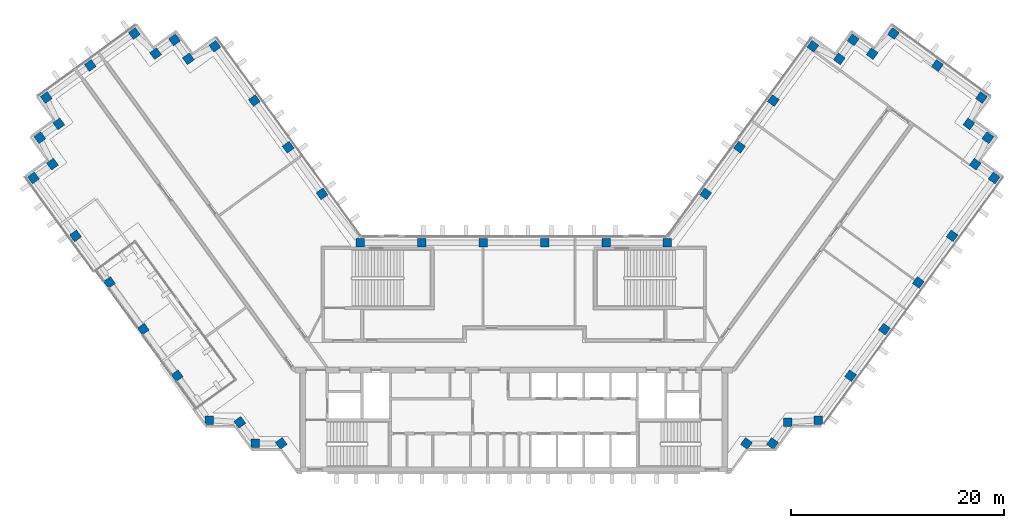
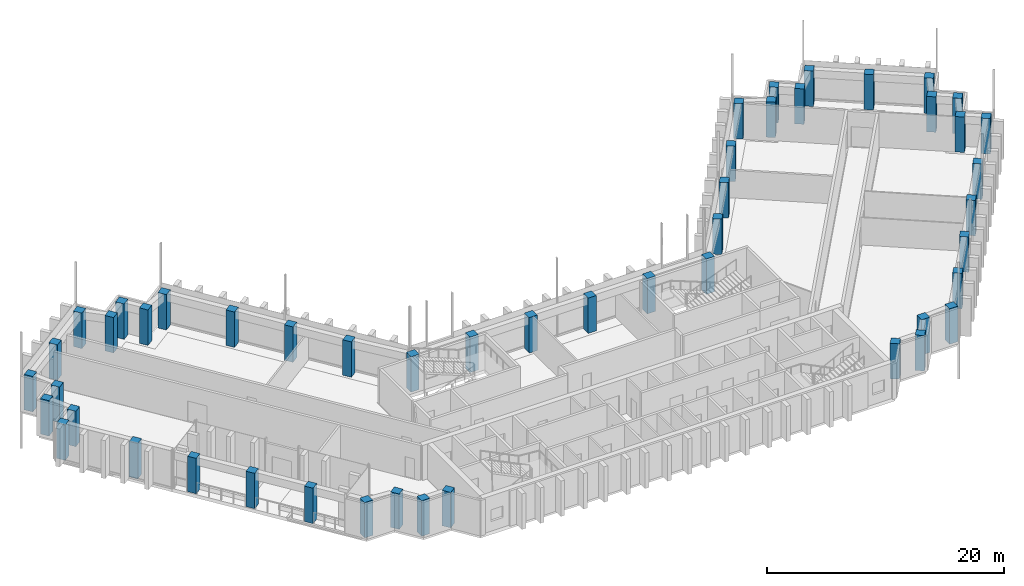
# One storey, part 1 of 15: 50 columns.
"""IFC4 building model written with IfcOpenShell, lengths in metres."""

from ifc_helpers import new_model, si_unit, direction, frame, origin, origin_2d, place, context, subcontext, project, spatial, rectangle, extrude, material, material_profile, profile_set, type_object, element, save


model = new_model("IFC4")

# Units and contexts
model_context = context("Model", 3, precision=1e-05, world=origin(), true_north=direction((0.0, 1.0)))
body_context = subcontext(model_context, "Body", "Model", "MODEL_VIEW")
ifc_project = project(units=[si_unit("LENGTHUNIT", "METRE"), si_unit("AREAUNIT", "SQUARE_METRE"), si_unit("VOLUMEUNIT", "CUBIC_METRE"), si_unit("PLANEANGLEUNIT", "RADIAN"), si_unit("MASSUNIT", "GRAM", prefix="KILO")], contexts=[model_context])

# Site, building, storey
site_placement = place(None, origin())
site = spatial("IfcSite", under=ifc_project, at=site_placement, CompositionType="ELEMENT")
building_placement = place(site_placement, origin())
building = spatial("IfcBuilding", under=site, at=building_placement, Name="Quipu Civic Tower", CompositionType="ELEMENT")
storey_placement = place(building_placement, frame((0.0, 0.0, 160.0)))
storey = spatial("IfcBuildingStorey", under=building, at=storey_placement, Name="L37", CompositionType="ELEMENT", Elevation=160.0)

# Columns
ifc_material = material(Name="Concrete C60/75", Category="concrete")
ifc_material_profile = material_profile(ifc_material, rectangle(XDim=0.800048828125, YDim=0.800048828125, at=origin_2d()), Name="RC800x800")
ifc_profile_set = profile_set([ifc_material_profile], Name="Concrete C60/75")
column_type = type_object("IfcColumnType", Name="Perimeter column RC 800x800 C60/75", PredefinedType="COLUMN", material=ifc_profile_set)
for number, where, z_axis, x_axis, name in (
    (1, (-17.9736328125, 15.074951171875, 0.0), (0.0, 0.0, 1.0), (-0.587785252292, 0.809016994375, 0.0), "Column L37 W-IN-01"),
    (2, (-21.1474609375, 19.44384765625, 0.0), (0.0, 0.0, 1.0), (-0.587785252292, 0.809016994375, 0.0), "Column L37 W-IN-02"),
    (3, (-24.3212890625, 23.8125, 0.0), (0.0, 0.0, 1.0), (-0.587785252292, 0.809016994375, 0.0), "Column L37 W-IN-03"),
    (4, (-28.02001953125, 28.905029296875, 0.0), (0.0, 0.0, 1.0), (-0.809016994375, -0.587785252292, 0.0), "Column L37 T-Wi.0-W34"),
    (5, (-30.498779296875, 27.72265625, 0.0), (0.0, 0.0, 1.0), (-0.809016994375, -0.587785252292, 0.0), "Column L37 T-Wi.1-W34"),
    (6, (-31.794921875, 29.5, 0.0), (0.0, 0.0, 1.0), (-0.587785252292, 0.809016994375, 0.0), "Column L37 T-Wi.2-W34"),
    (7, (-33.573974609375, 28.20947265625, 0.0), (0.0, 0.0, 1.0), (-0.587785252292, 0.809016994375, 0.0), "Column L37 T-Wi.3-W34"),
    (8, (-35.56494140625, 30.10009765625, 0.0), (0.0, 0.0, 1.0), (-0.809016994375, -0.587785252292, 0.0), "Column L37 T-Wi.4-W34"),
    (9, (-39.690673828125, 27.10205078125, 0.0), (0.0, 0.0, 1.0), (-0.809016994375, -0.587785252292, 0.0), "Column L37 TIP-W-01-W34"),
    (10, (-43.81494140625, 24.10498046875, 0.0), (0.0, 0.0, 1.0), (-0.809016994375, -0.587785252292, 0.0), "Column L37 T-Wo.0-W34"),
    (11, (-42.635009765625, 21.626220703125, 0.0), (0.0, 0.0, 1.0), (-0.809016994375, -0.587785252292, 0.0), "Column L37 T-Wo.1-W34"),
    (12, (-44.4150390625, 20.3349609375, 0.0), (0.0, 0.0, 1.0), (0.587785252292, -0.809016994375, 0.0), "Column L37 T-Wo.2-W34"),
    (13, (-43.23095703125, 17.8544921875, 0.0), (0.0, 0.0, 1.0), (0.587785252292, -0.809016994375, 0.0), "Column L37 T-Wo.3-W34"),
    (14, (-45.010009765625, 16.56005859375, 0.0), (0.0, 0.0, 1.0), (0.587785252292, -0.809016994375, 0.0), "Column L37 T-Wo.4-W34"),
    (15, (-41.0703125, 11.137451171875, 0.0), (0.0, 0.0, 1.0), (0.587785252292, -0.809016994375, 0.0), "Column L37 W-OUT-04"),
    (16, (-37.896240234375, 6.768798828125, 0.0), (0.0, 0.0, 1.0), (0.587785252292, -0.809016994375, 0.0), "Column L37 W-OUT-03"),
    (17, (-34.722412109375, 2.39990234375, 0.0), (0.0, 0.0, 1.0), (0.587785252292, -0.809016994375, 0.0), "Column L37 W-OUT-02"),
    (18, (-31.54833984375, -1.96875, 0.0), (0.0, 0.0, 1.0), (0.587785252292, -0.809016994375, 0.0), "Column L37 W-OUT-01"),
    (19, (-28.52490234375, -6.1298828125, 0.0), (0.0, 0.0, 1.0), (1.0, 0.0, 0.0), "Column L37 J-Wo.0"),
    (20, (-25.67431640625, -6.3369140625, 0.0), (0.0, 0.0, 1.0), (0.587785252292, -0.809016994375, 0.0), "Column L37 J-Wo.1"),
    (21, (-24.235107421875, -8.31494140625, 0.0), (0.0, 0.0, 1.0), (1.0, 0.0, 0.0), "Column L37 J-Wo.2"),
    (22, (-21.791748046875, -8.31494140625, 0.0), (0.0, 0.0, 1.0), (0.587785252292, -0.809016994375, 0.0), "Column L37 J-Wo.3"),
    (23, (21.791748046875, -8.31494140625, 0.0), (0.0, 0.0, 1.0), (0.587785252292, 0.809016994375, 0.0), "Column L37 J-Eo.1"),
    (24, (24.235107421875, -8.31494140625, 0.0), (0.0, 0.0, 1.0), (0.587785252292, 0.809016994375, 0.0), "Column L37 J-Eo.2"),
    (25, (25.67431640625, -6.3369140625, 0.0), (0.0, 0.0, 1.0), (1.0, 0.0, 0.0), "Column L37 J-Eo.3"),
    (26, (28.52490234375, -6.1298828125, 0.0), (0.0, 0.0, 1.0), (1.0, 0.0, 0.0), "Column L37 J-Eo.4"),
    (27, (31.54833984375, -1.96875, 0.0), (0.0, 0.0, 1.0), (0.587785252292, 0.809016994375, 0.0), "Column L37 E-OUT-01"),
    (28, (34.722412109375, 2.39990234375, 0.0), (0.0, 0.0, 1.0), (0.587785252292, 0.809016994375, 0.0), "Column L37 E-OUT-02"),
    (29, (37.896240234375, 6.768798828125, 0.0), (0.0, 0.0, 1.0), (0.587785252292, 0.809016994375, 0.0), "Column L37 E-OUT-03"),
    (30, (41.0703125, 11.137451171875, 0.0), (0.0, 0.0, 1.0), (0.587785252292, 0.809016994375, 0.0), "Column L37 E-OUT-04"),
    (31, (45.010009765625, 16.56005859375, 0.0), (0.0, 0.0, 1.0), (0.587785252292, 0.809016994375, 0.0), "Column L37 T-Eo.0-E34"),
    (32, (43.23095703125, 17.8544921875, 0.0), (0.0, 0.0, 1.0), (0.587785252292, 0.809016994375, 0.0), "Column L37 T-Eo.1-E34"),
    (33, (44.4150390625, 20.3349609375, 0.0), (0.0, 0.0, 1.0), (0.587785252292, 0.809016994375, 0.0), "Column L37 T-Eo.2-E34"),
    (34, (42.635009765625, 21.626220703125, 0.0), (0.0, 0.0, 1.0), (-0.809016994375, 0.587785252292, 0.0), "Column L37 T-Eo.3-E34"),
    (35, (43.81494140625, 24.10498046875, 0.0), (0.0, 0.0, 1.0), (-0.809016994375, 0.587785252292, 0.0), "Column L37 T-Eo.4-E34"),
    (36, (39.690673828125, 27.10205078125, 0.0), (0.0, 0.0, 1.0), (-0.809016994375, 0.587785252292, 0.0), "Column L37 TIP-E-01-E34"),
    (37, (35.56494140625, 30.10009765625, 0.0), (0.0, 0.0, 1.0), (-0.587785252292, -0.809016994375, 0.0), "Column L37 T-Ei.0-E34"),
    (38, (33.573974609375, 28.20947265625, 0.0), (0.0, 0.0, 1.0), (-0.809016994375, 0.587785252292, 0.0), "Column L37 T-Ei.1-E34"),
    (39, (31.794921875, 29.5, 0.0), (0.0, 0.0, 1.0), (-0.587785252292, -0.809016994375, 0.0), "Column L37 T-Ei.2-E34"),
    (40, (30.498779296875, 27.72265625, 0.0), (0.0, 0.0, 1.0), (-0.809016994375, 0.587785252292, 0.0), "Column L37 T-Ei.3-E34"),
    (41, (28.02001953125, 28.905029296875, 0.0), (0.0, 0.0, 1.0), (-0.809016994375, 0.587785252292, 0.0), "Column L37 T-Ei.4-E34"),
    (42, (24.3212890625, 23.8125, 0.0), (0.0, 0.0, 1.0), (-0.587785252292, -0.809016994375, 0.0), "Column L37 E-IN-03"),
    (43, (21.1474609375, 19.44384765625, 0.0), (0.0, 0.0, 1.0), (-0.587785252292, -0.809016994375, 0.0), "Column L37 E-IN-02"),
    (44, (17.9736328125, 15.074951171875, 0.0), (0.0, 0.0, 1.0), (-0.587785252292, -0.809016994375, 0.0), "Column L37 E-IN-01"),
    (45, (14.395263671875, 10.5, 0.0), (0.0, 0.0, 1.0), (-1.0, 0.0, 0.0), "Column L37 J-Ei.0"),
    (46, (8.63720703125, 10.5, 0.0), (0.0, 0.0, 1.0), (-1.0, 0.0, 0.0), "Column L37 FRONT-01"),
    (47, (2.87890625, 10.5, 0.0), (0.0, 0.0, 1.0), (-1.0, 0.0, 0.0), "Column L37 FRONT-02"),
    (48, (-2.87890625, 10.5, 0.0), (0.0, 0.0, 1.0), (-1.0, 0.0, 0.0), "Column L37 FRONT-03"),
    (49, (-8.63720703125, 10.5, 0.0), (0.0, 0.0, 1.0), (-1.0, 0.0, 0.0), "Column L37 FRONT-04"),
    (50, (-14.395263671875, 10.5, 0.0), (0.0, 0.0, 1.0), (-1.0, 0.0, 0.0), "Column L37 J-Wi.0"),
):
    element("IfcColumn", number, at=place(storey_placement, frame(where, z_axis=z_axis, x_axis=x_axis)), inside=storey, type_object=column_type, Name=name, PredefinedType="COLUMN", context=body_context, shape_type="SweptSolid", body=[
        extrude(rectangle(XDim=0.800048828125, YDim=0.800048828125, at=origin_2d()), origin(), (0.0, 0.0, 1.0), 3.64990234375),
    ])

save(model, "model.ifc")
